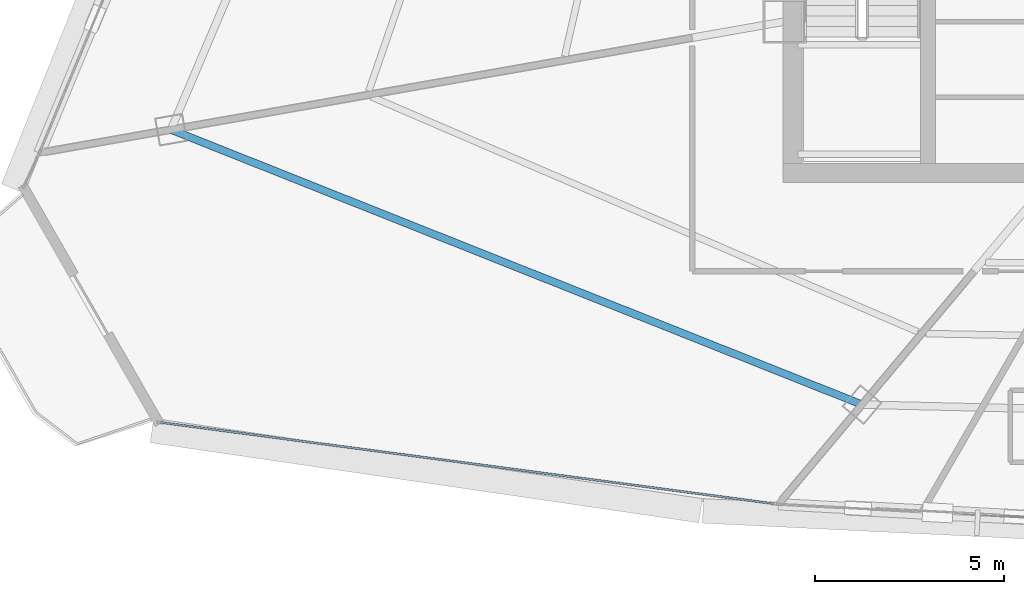
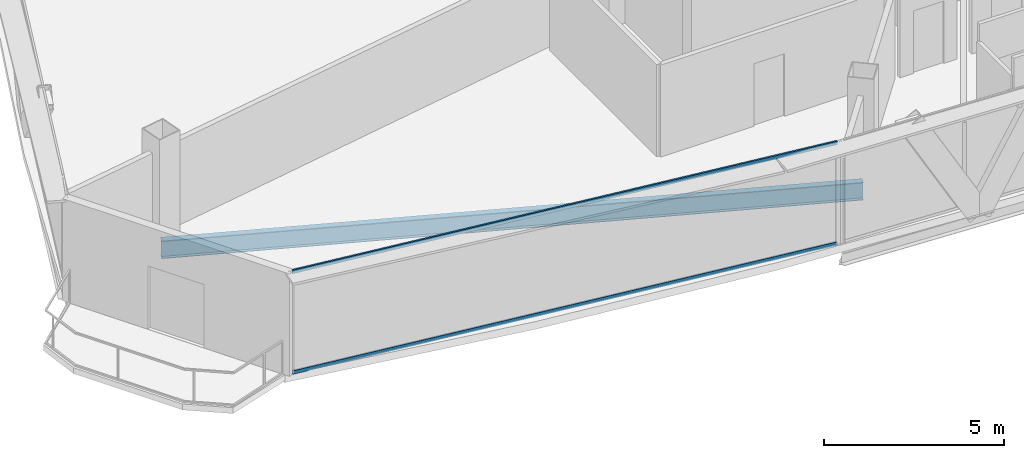
# One storey, part 3 of 37: 2 members, 1 beam, 1 element without a shape of its own.
"""IFC4 building model written with IfcOpenShell, lengths in metres."""

from ifc_helpers import new_model, si_unit, direction, frame, origin, origin_2d, place, context, subcontext, project, spatial, hollow_rectangle, i_section, extrude, source, transform, mapped, material, layer, layer_set, material_profile, profile_set, type_object, element, aggregate, save


model = new_model("IFC4")

# Units and contexts
model_context = context("Model", 3, precision=1e-05, world=origin(), true_north=direction((0.0, 1.0)))
body_context = subcontext(model_context, "Body", "Model", "MODEL_VIEW")
ifc_project = project(units=[si_unit("LENGTHUNIT", "METRE"), si_unit("AREAUNIT", "SQUARE_METRE"), si_unit("VOLUMEUNIT", "CUBIC_METRE"), si_unit("PLANEANGLEUNIT", "RADIAN"), si_unit("MASSUNIT", "GRAM", prefix="KILO"), si_unit("THERMODYNAMICTEMPERATUREUNIT", "KELVIN"), si_unit("POWERUNIT", "WATT")], contexts=[model_context])

# Site, building, storey
site_placement = place(None, origin())
site = spatial("IfcSite", under=ifc_project, at=site_placement, CompositionType="ELEMENT")
building_placement = place(site_placement, origin())
building = spatial("IfcBuilding", under=site, at=building_placement, Name="Yunzhuo Pagoda Commons", CompositionType="ELEMENT")
storey_placement = place(building_placement, frame((0.0, 0.0, 281.2900390625)))
storey = spatial("IfcBuildingStorey", under=building, at=storey_placement, Name="L70", CompositionType="ELEMENT", Elevation=281.2900390625)

# Beam
ifc_material_1 = material(Name="Structural steel Q355B", Category="steel")
ifc_material_profile_1 = material_profile(ifc_material_1, i_section(OverallWidth=0.199951171875, OverallDepth=0.60009765625, WebThickness=0.010986328125, FlangeThickness=0.01708984375, at=origin_2d()), Name="Structural steel Q355B")
ifc_profile_set_1 = profile_set([ifc_material_profile_1], Name="Structural steel Q355B")
beam_type = type_object("IfcBeamType", Name="B-RG3 Beam HN 600x200x11x17", PredefinedType="BEAM", material=ifc_profile_set_1)
shared_shape_1 = source(origin(), body_context, "Body", "SweptSolid", [
    extrude(i_section(OverallWidth=0.199951171875, OverallDepth=0.60009765625, WebThickness=0.010986328125, FlangeThickness=0.01708984375, at=origin_2d()), origin(), (0.0, 0.0, 1.0), 19.70458984375),
])
beam_placement = place(storey_placement, frame((19.33837890625, 28.646240234375, -0.559814453125), z_axis=(0.929153602905, -0.369693903396, 0.0), x_axis=(0.369693903396, 0.929153602905, 0.0)))
element("IfcBeam", 1, at=beam_placement, inside=storey, type_object=beam_type, Name="L70 column-ring beam 12", PredefinedType="BEAM", context=body_context, shape_type="MappedRepresentation", body=[
    mapped(shared_shape_1, transform((0.0, 0.0, 0.0), scale=1.0)),
])

# Curtain wall, members
ifc_material_2 = material(Name="Anodized aluminium 6063-T6", Category="aluminium")
ifc_layer = layer(ifc_material_2, 0.139892578125)
ifc_layer_set = layer_set([ifc_layer], Name="Anodized aluminium 6063-T6")
curtain_wall_type = type_object("IfcCurtainWallType", Name="CW-HI High-Zone Ribbon Curtain Wall", PredefinedType="NOTDEFINED", material=ifc_layer_set)
curtain_wall_placement = place(storey_placement, origin())
curtain_wall = element("IfcCurtainWall", 2, at=curtain_wall_placement, inside=storey, type_object=curtain_wall_type, Name="L70 curtain wall CW-L70-F1B1", PredefinedType="NOTDEFINED")
ifc_material_profile_2 = material_profile(ifc_material_2, hollow_rectangle(XDim=0.054931640625, YDim=0.1201171875, WallThickness=0.00341796875, at=origin_2d()), Name="Anodized aluminium 6063-T6")
ifc_profile_set_2 = profile_set([ifc_material_profile_2], Name="Anodized aluminium 6063-T6")
member_type = type_object("IfcMemberType", Name="CW-HI-T Transom RHS 120x55x3.5", PredefinedType="USERDEFINED", material=ifc_profile_set_2)
shared_shape_2 = source(origin(), body_context, "Body", "SweptSolid", [
    extrude(hollow_rectangle(XDim=0.054931640625, YDim=0.1201171875, WallThickness=0.00341796875, at=origin_2d()), origin(), (0.0, 0.0, 1.0), 16.373779296875),
])
member_1_placement = place(storey_placement, frame((19.065673828125, 20.888916015625, 0.02734375), z_axis=(0.991342383134, -0.131302244471, 0.0), x_axis=(0.131302244471, 0.991342383134, 0.0)))
member_1 = element("IfcMember", 3, at=member_1_placement, type_object=member_type, Name="CW transom 1.1", ObjectType="TRANSOM", PredefinedType="USERDEFINED", context=body_context, shape_type="MappedRepresentation", body=[
    mapped(shared_shape_2, transform((0.0, 0.0, 0.0), scale=1.0)),
])
member_2_placement = place(storey_placement, frame((19.065673828125, 20.888916015625, 3.4423828125), z_axis=(0.991342383134, -0.131302244471, 0.0), x_axis=(0.131302244471, 0.991342383134, 0.0)))
member_2 = element("IfcMember", 4, at=member_2_placement, type_object=member_type, Name="CW transom 1.2", ObjectType="TRANSOM", PredefinedType="USERDEFINED", context=body_context, shape_type="MappedRepresentation", body=[
    mapped(shared_shape_2, transform((0.0, 0.0, 0.0), scale=1.0)),
])
aggregate(curtain_wall, [member_1, member_2])

save(model, "model.ifc")
